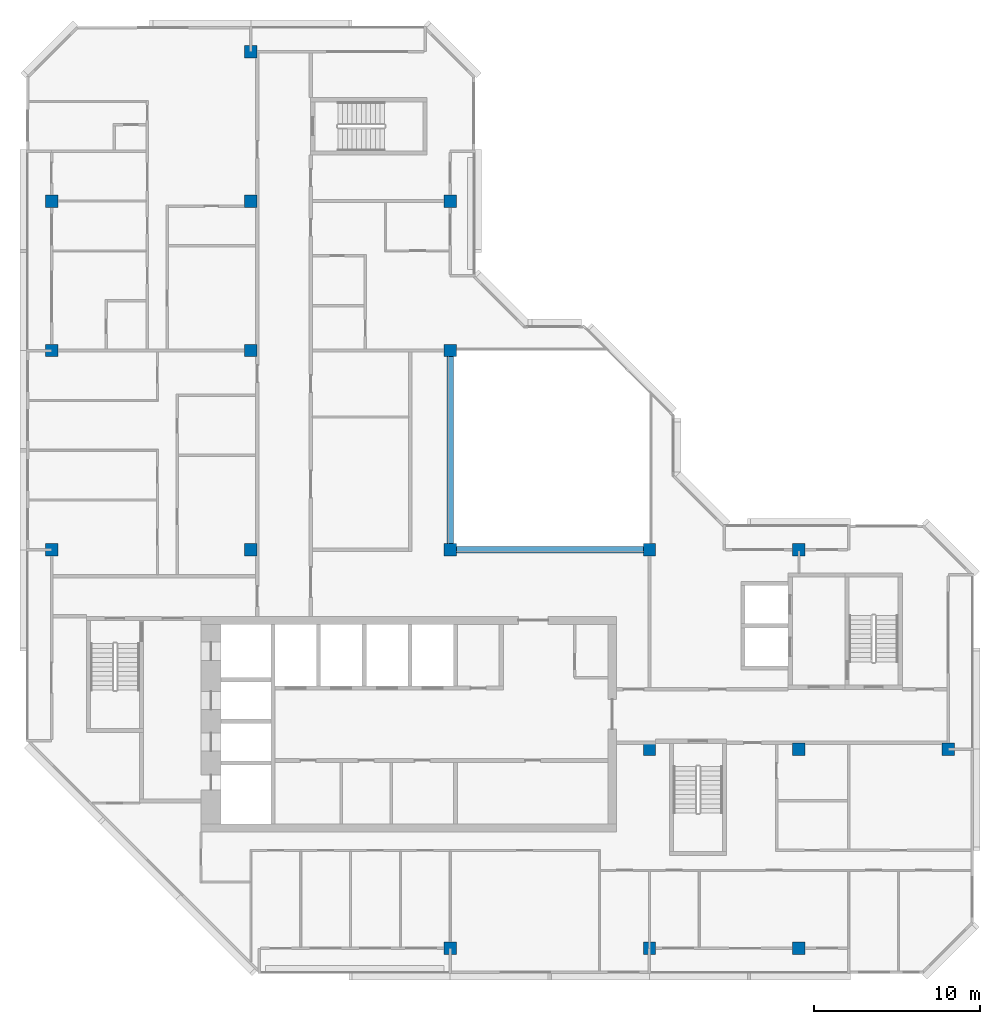
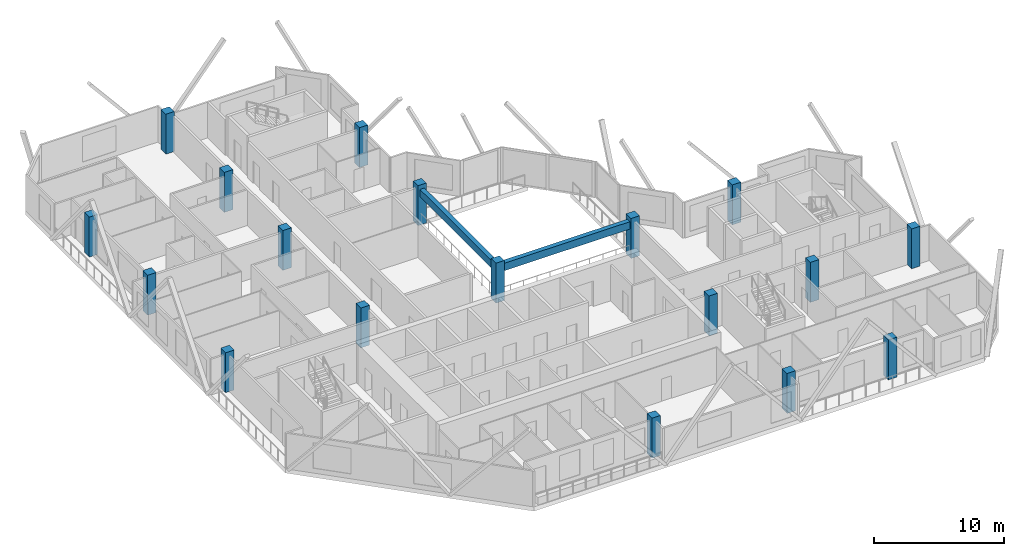
# One storey, part 1 of 11: 18 columns, 2 beams.
"""IFC4 building model written with IfcOpenShell, lengths in metres."""

from ifc_helpers import new_model, si_unit, direction, frame, origin, origin_2d, place, context, subcontext, project, spatial, rectangle, extrude, material, material_profile, profile_set, type_object, element, save


model = new_model("IFC4")

# Units and contexts
model_context = context("Model", 3, precision=1e-05, world=origin(), true_north=direction((0.0, 1.0)))
body_context = subcontext(model_context, "Body", "Model", "MODEL_VIEW")
ifc_project = project(units=[si_unit("LENGTHUNIT", "METRE"), si_unit("AREAUNIT", "SQUARE_METRE"), si_unit("VOLUMEUNIT", "CUBIC_METRE"), si_unit("PLANEANGLEUNIT", "RADIAN"), si_unit("MASSUNIT", "GRAM", prefix="KILO")], contexts=[model_context])

# Site, building, storey
site_placement = place(None, origin())
site = spatial("IfcSite", under=ifc_project, at=site_placement, CompositionType="ELEMENT")
building_placement = place(site_placement, origin())
building = spatial("IfcBuilding", under=site, at=building_placement, Name="Chenar Terraces", CompositionType="ELEMENT")
storey_placement = place(building_placement, frame((0.0, 0.0, 376.39990234375)))
storey = spatial("IfcBuildingStorey", under=building, at=storey_placement, Name="L88", CompositionType="ELEMENT", Elevation=376.39990234375)

# Columns
ifc_material_1 = material(Name="Concrete C50/60", Category="concrete")
ifc_material_profile_1 = material_profile(ifc_material_1, rectangle(XDim=0.75, YDim=0.75, at=origin_2d()), Name="C 750 x 750")
ifc_profile_set_1 = profile_set([ifc_material_profile_1], Name="Concrete C50/60")
column_type = type_object("IfcColumnType", Name="Column C 750 x 750 Concrete C50/60", PredefinedType="COLUMN", material=ifc_profile_set_1)
column_1_placement = place(storey_placement, frame((0.0, 24.0, 0.0), z_axis=(0.0, 0.0, 1.0), x_axis=(1.0, 0.0, 0.0)))
element("IfcColumn", 1, at=column_1_placement, inside=storey, type_object=column_type, Name="Column 5/G L88", PredefinedType="COLUMN", context=body_context, shape_type="SweptSolid", body=[
    extrude(rectangle(XDim=0.75, YDim=0.75, at=origin_2d()), origin(), (0.0, 0.0, 1.0), 3.75),
])
column_2_placement = place(storey_placement, frame((0.0, 36.0, 0.0), z_axis=(0.0, 0.0, 1.0), x_axis=(1.0, 0.0, 0.0)))
element("IfcColumn", 2, at=column_2_placement, inside=storey, type_object=column_type, Name="Column 5/H L88", PredefinedType="COLUMN", context=body_context, shape_type="SweptSolid", body=[
    extrude(rectangle(XDim=0.75, YDim=0.75, at=origin_2d()), origin(), (0.0, 0.0, 1.0), 3.75),
])
for number, where, z_axis, x_axis, name in (
    (3, (0.0, 45.0, 0.0), (0.0, 0.0, 1.0), (1.0, 0.0, 0.0), "Column 5/J L88"),
    (4, (12.0, 24.0, 0.0), (0.0, 0.0, 1.0), (1.0, 0.0, 0.0), "Column 6/G L88"),
    (5, (12.0, 36.0, 0.0), (0.0, 0.0, 1.0), (1.0, 0.0, 0.0), "Column 6/H L88"),
    (6, (12.0, 45.0, 0.0), (0.0, 0.0, 1.0), (1.0, 0.0, 0.0), "Column 6/J L88"),
    (7, (12.0, 54.0, 0.0), (0.0, 0.0, 1.0), (1.0, 0.0, 0.0), "Column 6/K L88"),
    (8, (24.0, 0.0, 0.0), (0.0, 0.0, 1.0), (1.0, 0.0, 0.0), "Column 7/E L88"),
    (9, (24.0, 24.0, 0.0), (0.0, 0.0, 1.0), (1.0, 0.0, 0.0), "Column 7/G L88"),
    (10, (24.0, 36.0, 0.0), (0.0, 0.0, 1.0), (1.0, 0.0, 0.0), "Column 7/H L88"),
    (11, (24.0, 45.0, 0.0), (0.0, 0.0, 1.0), (1.0, 0.0, 0.0), "Column 7/J L88"),
    (12, (36.0, 0.0, 0.0), (0.0, 0.0, 1.0), (1.0, 0.0, 0.0), "Column 8/E L88"),
    (13, (36.0, 12.0, 0.0), (0.0, 0.0, 1.0), (1.0, 0.0, 0.0), "Column 8/F L88"),
    (14, (36.0, 24.0, 0.0), (0.0, 0.0, 1.0), (1.0, 0.0, 0.0), "Column 8/G L88"),
    (15, (45.0, 0.0, 0.0), (0.0, 0.0, 1.0), (1.0, 0.0, 0.0), "Column 9/E L88"),
    (16, (45.0, 12.0, 0.0), (0.0, 0.0, 1.0), (1.0, 0.0, 0.0), "Column 9/F L88"),
    (17, (45.0, 24.0, 0.0), (0.0, 0.0, 1.0), (1.0, 0.0, 0.0), "Column 9/G L88"),
    (18, (54.0, 12.0, 0.0), (0.0, 0.0, 1.0), (1.0, 0.0, 0.0), "Column 10/F L88"),
):
    element("IfcColumn", number, at=place(storey_placement, frame(where, z_axis=z_axis, x_axis=x_axis)), inside=storey, type_object=column_type, Name=name, PredefinedType="COLUMN", context=body_context, shape_type="SweptSolid", body=[
        extrude(rectangle(XDim=0.75, YDim=0.75, at=origin_2d()), origin(), (0.0, 0.0, 1.0), 3.75),
    ])

# Beams
ifc_material_2 = material(Name="Concrete C40/50", Category="concrete")
ifc_material_profile_2 = material_profile(ifc_material_2, rectangle(XDim=0.39990234375, YDim=0.699951171875, at=origin_2d()), Name="RC 400 x 700")
ifc_profile_set_2 = profile_set([ifc_material_profile_2], Name="Concrete C40/50")
beam_type = type_object("IfcBeamType", Name="Atrium edge beam 400 x 700 Concrete C40/50", PredefinedType="BEAM", material=ifc_profile_set_2)
for number, where, z_axis, x_axis, name in (
    (19, (24.375, 24.0, 3.0), (1.0, 0.0, 0.0), (0.0, 1.0, 0.0), "Atrium edge beam L89 1"),
    (20, (24.0, 35.625, 3.0), (0.0, -1.0, 0.0), (1.0, 0.0, 0.0), "Atrium edge beam L89 4"),
):
    element("IfcBeam", number, at=place(storey_placement, frame(where, z_axis=z_axis, x_axis=x_axis)), inside=storey, type_object=beam_type, Name=name, PredefinedType="BEAM", context=body_context, shape_type="SweptSolid", body=[
        extrude(rectangle(XDim=0.39990234375, YDim=0.699951171875, at=origin_2d()), origin(), (0.0, 0.0, 1.0), 11.25),
    ])

save(model, "model.ifc")
